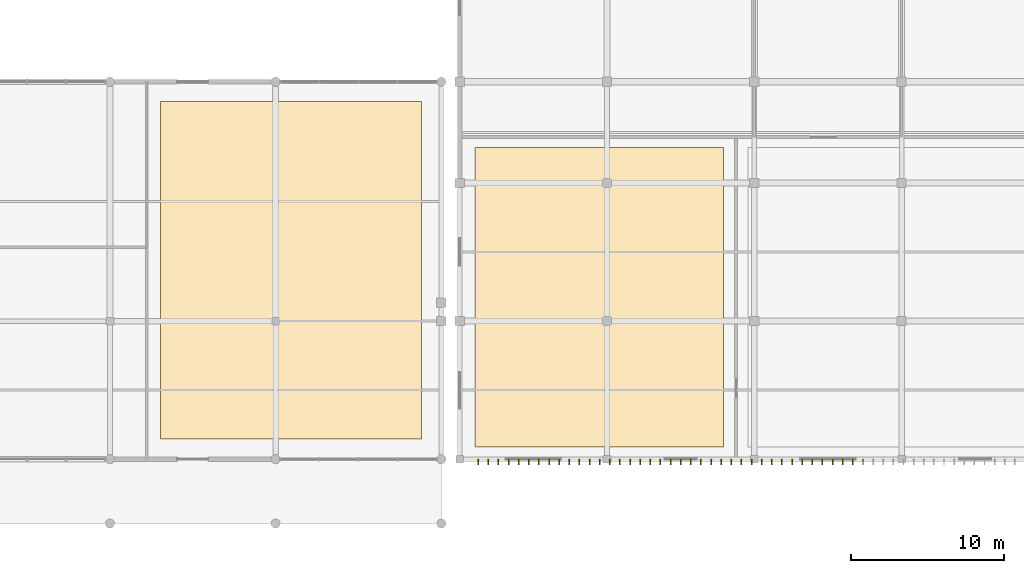
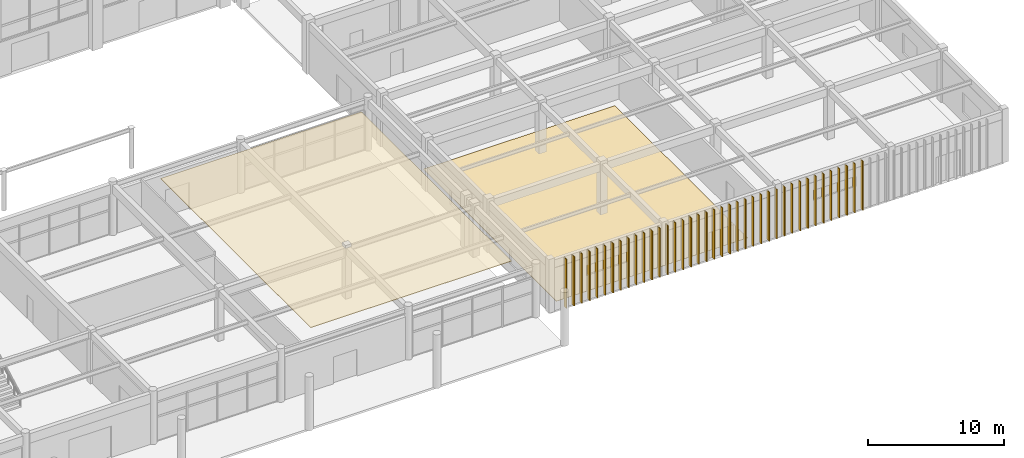
# One storey, part 72 of 82: 39 shading devices, 2 coverings.
"""IFC4 building model written with IfcOpenShell, lengths in metres."""

from ifc_helpers import new_model, si_unit, direction, frame, origin, origin_2d, place, context, subcontext, project, spatial, polyline, rectangle, outline, extrude, material, layer, layer_set, type_object, element, save


model = new_model("IFC4")

# Units and contexts
model_context = context("Model", 3, precision=1e-05, world=origin(), true_north=direction((0.0, 1.0)))
body_context = subcontext(model_context, "Body", "Model", "MODEL_VIEW")
ifc_project = project(units=[si_unit("LENGTHUNIT", "METRE"), si_unit("AREAUNIT", "SQUARE_METRE"), si_unit("VOLUMEUNIT", "CUBIC_METRE"), si_unit("PLANEANGLEUNIT", "RADIAN"), si_unit("MASSUNIT", "GRAM", prefix="KILO")], contexts=[model_context])

# Site, building, storey
site_placement = place(None, origin())
site = spatial("IfcSite", under=ifc_project, at=site_placement, CompositionType="ELEMENT")
building_placement = place(site_placement, origin())
building = spatial("IfcBuilding", under=site, at=building_placement, Name="Suirenkawa Promenade Aquatics Centre", CompositionType="ELEMENT")
storey_placement = place(building_placement, origin())
storey = spatial("IfcBuildingStorey", under=building, at=storey_placement, Name="L00", CompositionType="ELEMENT", Elevation=0.0)

# Coverings
ifc_material_1 = material(Name="Anodised aluminium 6063-T6", Category="aluminium")
ifc_layer_1 = layer(ifc_material_1, 0.044921875, Name="Anodised aluminium 6063-T6", Category="aluminium")
ifc_layer_set_1 = layer_set([ifc_layer_1], Name="Anodised aluminium 6063-T6")
covering_type_1 = type_object("IfcCoveringType", Name="CVT-BAFFLE-CEIL", PredefinedType="CEILING", material=ifc_layer_set_1)
covering_1_placement = place(storey_placement, frame((0.0, 0.0, 4.5048828125)))
element("IfcCovering", 1, at=covering_1_placement, inside=storey, type_object=covering_type_1, Name="Acoustic baffle ceiling CLG-01 CLG-002", PredefinedType="CEILING", context=body_context, shape_type="SweptSolid", body=[
    extrude(outline(polyline([(136.5, 5.5), (153.5, 5.5), (153.5, 27.5), (136.5, 27.5), (136.5, 5.5)])), origin(), (0.0, 0.0, 1.0), 0.045166015625),
])
ifc_material_2 = material(Name="Vitrified anti-slip natatorium ceramic tile")
ifc_layer_2 = layer(ifc_material_2, 0.02490234375, Name="Vitrified anti-slip natatorium ceramic tile")
ifc_layer_set_2 = layer_set([ifc_layer_2], Name="Vitrified anti-slip natatorium ceramic tile")
covering_type_2 = type_object("IfcCoveringType", Name="CVT-WET-TILE", PredefinedType="FLOORING", material=ifc_layer_set_2)
covering_2_placement = place(storey_placement, origin())
element("IfcCovering", 2, at=covering_2_placement, inside=storey, type_object=covering_type_2, Name="Floor finish FLR-01 FLR-005", PredefinedType="FLOORING", context=body_context, shape_type="SweptSolid", body=[
    extrude(outline(polyline([(157.0, 5.0), (173.199951171875, 5.0), (173.199951171875, 24.5), (157.0, 24.5), (157.0, 5.0)])), origin(), (0.0, 0.0, 1.0), 0.02490234375),
])

# Shading devices
shading_device_type = type_object("IfcShadingDeviceType", Name="SDT-KOUSHI-400", PredefinedType="USERDEFINED", material=ifc_material_1)
for number, where, z_axis, x_axis, name in (
    (3, (157.199951171875, 4.02001953125, 0.0), (0.0, 0.0, 1.0), (1.0, 0.0, 0.0), "Koushi facade sunshade FN-01 SHD-0321"),
    (4, (157.860107421875, 4.02001953125, 0.0), (0.0, 0.0, 1.0), (1.0, 0.0, 0.0), "Koushi facade sunshade FN-01 SHD-0322"),
    (5, (158.52001953125, 4.02001953125, 0.0), (0.0, 0.0, 1.0), (1.0, 0.0, 0.0), "Koushi facade sunshade FN-01 SHD-0323"),
    (6, (159.179931640625, 4.02001953125, 0.0), (0.0, 0.0, 1.0), (1.0, 0.0, 0.0), "Koushi facade sunshade FN-01 SHD-0324"),
    (7, (159.840087890625, 4.02001953125, 0.0), (0.0, 0.0, 1.0), (1.0, 0.0, 0.0), "Koushi facade sunshade FN-01 SHD-0325"),
    (8, (160.5, 4.02001953125, 0.0), (0.0, 0.0, 1.0), (1.0, 0.0, 0.0), "Koushi facade sunshade FN-01 SHD-0326"),
    (9, (161.159912109375, 4.02001953125, 0.0), (0.0, 0.0, 1.0), (1.0, 0.0, 0.0), "Koushi facade sunshade FN-01 SHD-0327"),
    (10, (161.820068359375, 4.02001953125, 0.0), (0.0, 0.0, 1.0), (1.0, 0.0, 0.0), "Koushi facade sunshade FN-01 SHD-0328"),
    (11, (162.47998046875, 4.02001953125, 0.0), (0.0, 0.0, 1.0), (1.0, 0.0, 0.0), "Koushi facade sunshade FN-01 SHD-0329"),
    (12, (163.139892578125, 4.02001953125, 0.0), (0.0, 0.0, 1.0), (1.0, 0.0, 0.0), "Koushi facade sunshade FN-01 SHD-0330"),
    (13, (163.800048828125, 4.02001953125, 0.0), (0.0, 0.0, 1.0), (1.0, 0.0, 0.0), "Koushi facade sunshade FN-01 SHD-0331"),
    (14, (164.4599609375, 4.02001953125, 0.0), (0.0, 0.0, 1.0), (1.0, 0.0, 0.0), "Koushi facade sunshade FN-01 SHD-0332"),
    (15, (165.1201171875, 4.02001953125, 0.0), (0.0, 0.0, 1.0), (1.0, 0.0, 0.0), "Koushi facade sunshade FN-01 SHD-0333"),
    (16, (165.780029296875, 4.02001953125, 0.0), (0.0, 0.0, 1.0), (1.0, 0.0, 0.0), "Koushi facade sunshade FN-01 SHD-0334"),
    (17, (166.43994140625, 4.02001953125, 0.0), (0.0, 0.0, 1.0), (1.0, 0.0, 0.0), "Koushi facade sunshade FN-01 SHD-0335"),
    (18, (167.10009765625, 4.02001953125, 0.0), (0.0, 0.0, 1.0), (1.0, 0.0, 0.0), "Koushi facade sunshade FN-01 SHD-0336"),
    (19, (167.760009765625, 4.02001953125, 0.0), (0.0, 0.0, 1.0), (1.0, 0.0, 0.0), "Koushi facade sunshade FN-01 SHD-0337"),
    (20, (168.419921875, 4.02001953125, 0.0), (0.0, 0.0, 1.0), (1.0, 0.0, 0.0), "Koushi facade sunshade FN-01 SHD-0338"),
    (21, (169.080078125, 4.02001953125, 0.0), (0.0, 0.0, 1.0), (1.0, 0.0, 0.0), "Koushi facade sunshade FN-01 SHD-0339"),
    (22, (169.739990234375, 4.02001953125, 0.0), (0.0, 0.0, 1.0), (1.0, 0.0, 0.0), "Koushi facade sunshade FN-01 SHD-0340"),
    (23, (170.39990234375, 4.02001953125, 0.0), (0.0, 0.0, 1.0), (1.0, 0.0, 0.0), "Koushi facade sunshade FN-01 SHD-0341"),
    (24, (171.06005859375, 4.02001953125, 0.0), (0.0, 0.0, 1.0), (1.0, 0.0, 0.0), "Koushi facade sunshade FN-01 SHD-0342"),
    (25, (171.719970703125, 4.02001953125, 0.0), (0.0, 0.0, 1.0), (1.0, 0.0, 0.0), "Koushi facade sunshade FN-01 SHD-0343"),
    (26, (172.3798828125, 4.02001953125, 0.0), (0.0, 0.0, 1.0), (1.0, 0.0, 0.0), "Koushi facade sunshade FN-01 SHD-0344"),
    (27, (173.0400390625, 4.02001953125, 0.0), (0.0, 0.0, 1.0), (1.0, 0.0, 0.0), "Koushi facade sunshade FN-01 SHD-0345"),
    (28, (173.699951171875, 4.02001953125, 0.0), (0.0, 0.0, 1.0), (1.0, 0.0, 0.0), "Koushi facade sunshade FN-01 SHD-0346"),
    (29, (174.360107421875, 4.02001953125, 0.0), (0.0, 0.0, 1.0), (1.0, 0.0, 0.0), "Koushi facade sunshade FN-01 SHD-0347"),
    (30, (175.02001953125, 4.02001953125, 0.0), (0.0, 0.0, 1.0), (1.0, 0.0, 0.0), "Koushi facade sunshade FN-01 SHD-0348"),
    (31, (175.679931640625, 4.02001953125, 0.0), (0.0, 0.0, 1.0), (1.0, 0.0, 0.0), "Koushi facade sunshade FN-01 SHD-0349"),
    (32, (176.340087890625, 4.02001953125, 0.0), (0.0, 0.0, 1.0), (1.0, 0.0, 0.0), "Koushi facade sunshade FN-01 SHD-0350"),
    (33, (177.0, 4.02001953125, 0.0), (0.0, 0.0, 1.0), (1.0, 0.0, 0.0), "Koushi facade sunshade FN-01 SHD-0351"),
    (34, (177.659912109375, 4.02001953125, 0.0), (0.0, 0.0, 1.0), (1.0, 0.0, 0.0), "Koushi facade sunshade FN-01 SHD-0352"),
    (35, (178.320068359375, 4.02001953125, 0.0), (0.0, 0.0, 1.0), (1.0, 0.0, 0.0), "Koushi facade sunshade FN-01 SHD-0353"),
    (36, (178.97998046875, 4.02001953125, 0.0), (0.0, 0.0, 1.0), (1.0, 0.0, 0.0), "Koushi facade sunshade FN-01 SHD-0354"),
    (37, (179.639892578125, 4.02001953125, 0.0), (0.0, 0.0, 1.0), (1.0, 0.0, 0.0), "Koushi facade sunshade FN-01 SHD-0355"),
    (38, (180.300048828125, 4.02001953125, 0.0), (0.0, 0.0, 1.0), (1.0, 0.0, 0.0), "Koushi facade sunshade FN-01 SHD-0356"),
    (39, (180.9599609375, 4.02001953125, 0.0), (0.0, 0.0, 1.0), (1.0, 0.0, 0.0), "Koushi facade sunshade FN-01 SHD-0357"),
    (40, (181.6201171875, 4.02001953125, 0.0), (0.0, 0.0, 1.0), (1.0, 0.0, 0.0), "Koushi facade sunshade FN-01 SHD-0358"),
    (41, (182.280029296875, 4.02001953125, 0.0), (0.0, 0.0, 1.0), (1.0, 0.0, 0.0), "Koushi facade sunshade FN-01 SHD-0359"),
):
    element("IfcShadingDevice", number, at=place(storey_placement, frame(where, z_axis=z_axis, x_axis=x_axis)), inside=storey, type_object=shading_device_type, Name=name, ObjectType="FIN", PredefinedType="USERDEFINED", context=body_context, shape_type="SweptSolid", body=[
        extrude(rectangle(XDim=0.06005859375, YDim=0.360107421875, at=origin_2d()), origin(), (0.0, 0.0, 1.0), 4.39990234375),
    ])

save(model, "model.ifc")
